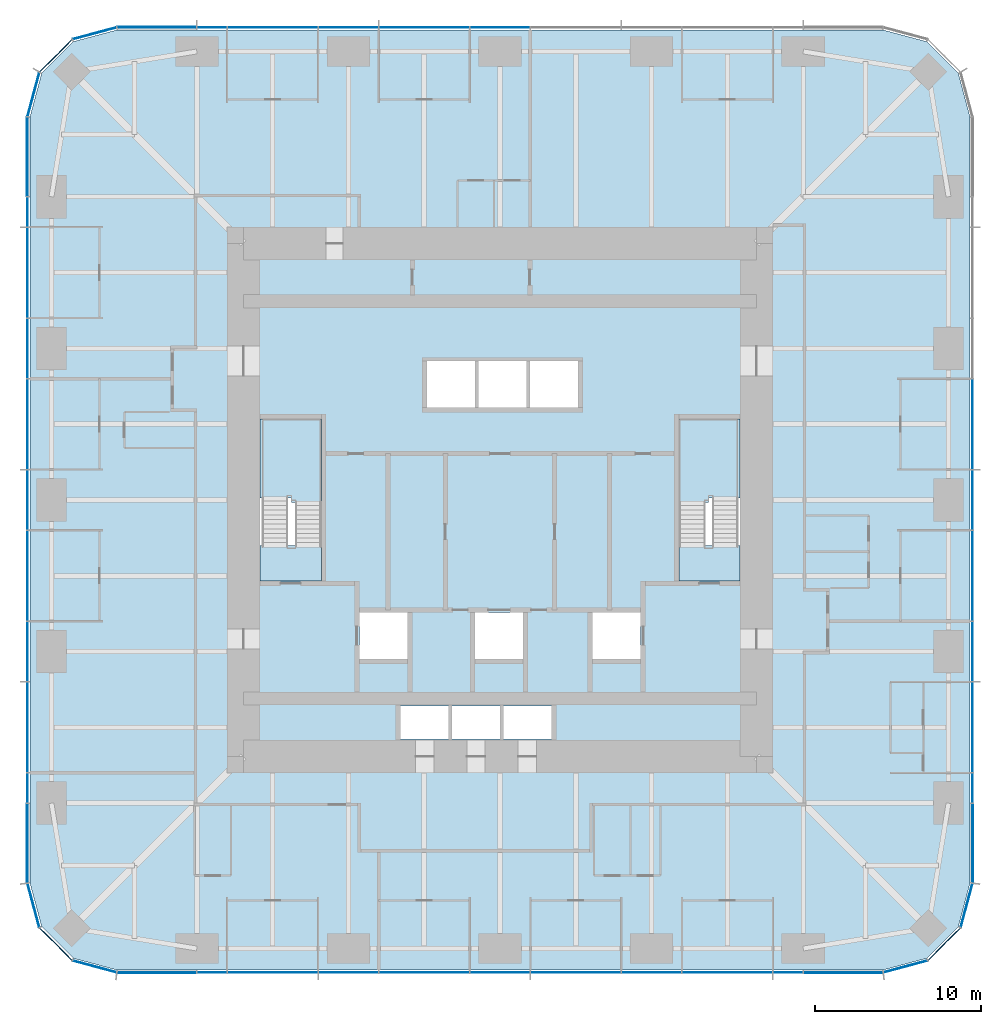
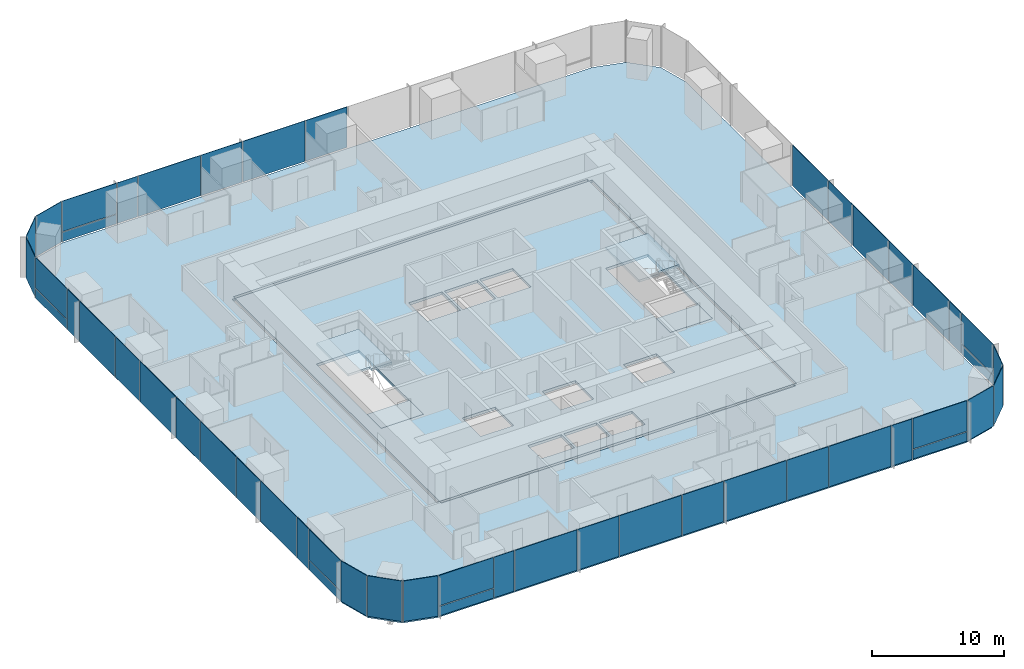
# One storey, part 7 of 12: 50 plates, 6 slabs, 9 elements without a shape of their own.
"""IFC4 building model written with IfcOpenShell, lengths in metres."""

import ifcopenshell
import ifcopenshell.guid

model = None  # the IFC model being written
_history = None  # IfcOwnerHistory: only IFC2X3 demands one
_inside = {}  # id of a spatial element -> (the spatial element, [elements in it])
_under = {}  # id of a project, library or spatial element -> (it, [spatial elements below it])
_declared = {}  # id of a project -> (the project, [libraries it declares])
_typed = {}  # id of a type object -> (the type object, [elements of that type])
_made_of = {}  # id of a material, layer set ... -> (it, [elements and type objects made of it])


def new_model(schema):
    """Start an empty IFC model of exactly this schema.

    Asked for "IFC4X3", IfcOpenShell would pick the latest addendum, in which some entities
    have other attributes; the version numbers below select the first issue.
    IFC2X3 requires an IfcOwnerHistory on every rooted entity: one is made here for all.
    """
    global model, _history
    if schema == "IFC4X3":
        model = ifcopenshell.file(schema_version=(4, 3, 0, 0))
    else:
        model = ifcopenshell.file(schema=schema)
    _inside.clear()
    _under.clear()
    _declared.clear()
    _typed.clear()
    _made_of.clear()
    _history = None
    if model.schema == "IFC2X3":
        org = make("IfcOrganization", Name="unknown")
        user = make(
            "IfcPersonAndOrganization",
            ThePerson=make("IfcPerson", FamilyName="unknown"),
            TheOrganization=org,
        )
        app = make(
            "IfcApplication",
            ApplicationDeveloper=org,
            Version="unknown",
            ApplicationFullName="unknown",
            ApplicationIdentifier="unknown",
        )
        _history = make(
            "IfcOwnerHistory",
            OwningUser=user,
            OwningApplication=app,
            ChangeAction="ADDED",
            CreationDate=0,
        )
    return model


def make(cls, **values):
    """One entity of the class cls with the attributes given. An attribute that is None is left unset."""
    return model.create_entity(
        cls, **{name: value for name, value in values.items() if value is not None}
    )


def rooted(cls, **values):
    """An entity with a GlobalId (a new one), such as an element, a storey or a relation."""
    return make(cls, GlobalId=ifcopenshell.guid.new(), OwnerHistory=_history, **values)


def si_unit(unit_type, name, prefix=None):
    """IfcSIUnit, for example si_unit("LENGTHUNIT", "METRE", prefix="MILLI")."""
    return make("IfcSIUnit", UnitType=unit_type, Prefix=prefix, Name=name)


def assignment(units):
    """IfcUnitAssignment: the units of a project."""
    return None if units is None else make("IfcUnitAssignment", Units=units)


def point(xyz):
    """IfcCartesianPoint."""
    return None if xyz is None else make("IfcCartesianPoint", Coordinates=xyz)


def direction(xyz):
    """IfcDirection."""
    return None if xyz is None else make("IfcDirection", DirectionRatios=xyz)


def frame(location, z_axis=None, x_axis=None):
    """IfcAxis2Placement3D, a coordinate frame: its origin and axes. An axis left out is left unset."""
    return make(
        "IfcAxis2Placement3D",
        Location=point(location),
        Axis=direction(z_axis),
        RefDirection=direction(x_axis),
    )


def frame_2d(location, x_axis=None):
    """IfcAxis2Placement2D, a coordinate frame in the plane: its origin and x axis."""
    return make(
        "IfcAxis2Placement2D", Location=point(location), RefDirection=direction(x_axis)
    )


def origin():
    """The frame at (0, 0, 0) with its axes left unset."""
    return frame((0.0, 0.0, 0.0))


def origin_2d():
    """The frame at (0, 0) in the plane with its x axis left unset."""
    return frame_2d((0.0, 0.0))


def place(relative_to, where):
    """IfcLocalPlacement: puts the frame where relative to a parent placement (None: the world)."""
    return make(
        "IfcLocalPlacement", PlacementRelTo=relative_to, RelativePlacement=where
    )


def context(
    kind, dimensions, precision=None, world=None, true_north=None, identifier=None
):
    """IfcGeometricRepresentationContext, for example the 3D "Model" context."""
    return make(
        "IfcGeometricRepresentationContext",
        ContextIdentifier=identifier,
        ContextType=kind,
        CoordinateSpaceDimension=dimensions,
        Precision=precision,
        WorldCoordinateSystem=world,
        TrueNorth=true_north,
    )


def subcontext(parent, identifier, kind, view, scale=None):
    """IfcGeometricRepresentationSubContext, for example "Body" below "Model"."""
    return make(
        "IfcGeometricRepresentationSubContext",
        ContextIdentifier=identifier,
        ContextType=kind,
        ParentContext=parent,
        TargetScale=scale,
        TargetView=view,
    )


def project(units=None, contexts=None):
    """IfcProject with its units and contexts."""
    return rooted(
        "IfcProject",
        Name="project",
        RepresentationContexts=contexts,
        UnitsInContext=assignment(units),
    )


def spatial(cls, under=None, at=None, **own):
    """A site, building, storey or space (cls), placed at a placement, below another one or the project."""
    s = rooted(cls, ObjectPlacement=at, **own)
    if under is not None:
        _under.setdefault(under.id(), (under, []))[1].append(s)
    return s


def polyline(points):
    """IfcPolyline through the points."""
    return make("IfcPolyline", Points=[point(p) for p in points])


def profile(cls, at=None, kind="AREA", **sizes):
    """A parametric profile (cls). Its sizes go by their IFC names, for example OverallWidth=200.0."""
    return make(cls, ProfileType=kind, Position=at, **sizes)


def rectangle(**sizes):
    """IfcRectangleProfileDef."""
    return profile("IfcRectangleProfileDef", **sizes)


def outline(outer, holes=None, kind="AREA"):
    """IfcArbitraryClosedProfileDef: a profile drawn as a closed curve; with holes, ...WithVoids."""
    if holes is None:
        return make("IfcArbitraryClosedProfileDef", ProfileType=kind, OuterCurve=outer)
    return make(
        "IfcArbitraryProfileDefWithVoids",
        ProfileType=kind,
        OuterCurve=outer,
        InnerCurves=holes,
    )


def extrude(swept, where, along, depth):
    """IfcExtrudedAreaSolid: the profile swept, set in the frame where, extruded along a direction by depth."""
    return make(
        "IfcExtrudedAreaSolid",
        SweptArea=swept,
        Position=where,
        ExtrudedDirection=direction(along),
        Depth=depth,
    )


def shape(context_of_items, identifier, shape_type, items):
    """IfcShapeRepresentation: the items that make up one representation, for example the "Body"."""
    return make(
        "IfcShapeRepresentation",
        ContextOfItems=context_of_items,
        RepresentationIdentifier=identifier,
        RepresentationType=shape_type,
        Items=items,
    )


def material(Name=None, Category=None):
    """IfcMaterial."""
    return make("IfcMaterial", Name=Name, Category=Category)


def layer(
    of_material, thickness, ventilated=None, Name=None, Category=None, Priority=None
):
    """IfcMaterialLayer: one layer of a wall or slab, of a material (None: an air gap)."""
    return make(
        "IfcMaterialLayer",
        Material=of_material,
        LayerThickness=thickness,
        IsVentilated=ventilated,
        Name=Name,
        Category=Category,
        Priority=Priority,
    )


def layer_set(layers, Name=None):
    """IfcMaterialLayerSet."""
    return make("IfcMaterialLayerSet", MaterialLayers=layers, LayerSetName=Name)


def made_of(thing, what):
    """Note that an element or type object is made of a material, layer set ...; save() writes the relation."""
    if what is not None:
        _made_of.setdefault(what.id(), (what, []))[1].append(thing)
    return thing


def type_object(cls, material=None, **own):
    """A type object (cls), such as IfcWallType, which elements share."""
    return made_of(rooted(cls, **own), material)


def element(
    cls,
    number,
    at=None,
    inside=None,
    cuts=None,
    type_object=None,
    material=None,
    context=None,
    identifier="Body",
    shape_type=None,
    held_by="IfcProductDefinitionShape",
    body=None,
    shapes=None,
    **own,
):
    """One element of the class cls, such as IfcWall. Its Tag is "e" and its number.

    at: its placement. inside: the storey or other place that contains it. cuts: it is an
    opening in that element (IfcRelVoidsElement). A single representation is given by context,
    identifier, shape_type and body (its items); several are given by shapes. held_by: the class
    of the entity that holds the representations. save() writes the other relations.
    """
    e = rooted(cls, Tag="e%d" % number, ObjectPlacement=at, **own)
    if body is not None:
        shapes = [shape(context, identifier, shape_type, body)]
    if shapes is not None:
        e.Representation = make(held_by, Representations=shapes)
    if inside is not None:
        _inside.setdefault(inside.id(), (inside, []))[1].append(e)
    if cuts is not None:
        rooted(
            "IfcRelVoidsElement", RelatingBuildingElement=cuts, RelatedOpeningElement=e
        )
    if type_object is not None:
        _typed.setdefault(type_object.id(), (type_object, []))[1].append(e)
    return made_of(e, material)


def aggregate(whole, parts):
    """IfcRelAggregates: a whole, such as a stair, and the parts it consists of."""
    return rooted("IfcRelAggregates", RelatingObject=whole, RelatedObjects=parts)


def save(model, path):
    """Write the relations noted so far, then the file.

    IfcRelAggregates (storeys below a building ...), IfcRelContainedInSpatialStructure (elements
    in a storey), IfcRelDefinesByType, IfcRelAssociatesMaterial and IfcRelDeclares: one each for
    every whole, place, type object, material and project.
    """
    for whole, parts in _under.values():
        aggregate(whole, parts)
    for where, things in _inside.values():
        rooted(
            "IfcRelContainedInSpatialStructure",
            RelatedElements=things,
            RelatingStructure=where,
        )
    for kind, things in _typed.values():
        rooted("IfcRelDefinesByType", RelatedObjects=things, RelatingType=kind)
    for what, things in _made_of.values():
        rooted("IfcRelAssociatesMaterial", RelatedObjects=things, RelatingMaterial=what)
    for by, libraries in _declared.values():
        rooted("IfcRelDeclares", RelatingContext=by, RelatedDefinitions=libraries)
    model.write(path)


model = new_model("IFC4")

# Units and contexts
model_context = context("Model", 3, precision=1e-05, world=origin(), true_north=direction((0.0, 1.0)))
body_context = subcontext(model_context, "Body", "Model", "MODEL_VIEW")
ifc_project = project(units=[si_unit("LENGTHUNIT", "METRE"), si_unit("AREAUNIT", "SQUARE_METRE"), si_unit("VOLUMEUNIT", "CUBIC_METRE"), si_unit("PLANEANGLEUNIT", "RADIAN"), si_unit("MASSUNIT", "GRAM", prefix="KILO")], contexts=[model_context])

# Site, building, storey
site_placement = place(None, origin())
site = spatial("IfcSite", under=ifc_project, at=site_placement, CompositionType="ELEMENT")
building_placement = place(site_placement, origin())
building = spatial("IfcBuilding", under=site, at=building_placement, Name="Khuree Lantern Residences", CompositionType="ELEMENT")
storey_placement = place(building_placement, frame((0.0, 0.0, 167.25)))
storey = spatial("IfcBuildingStorey", under=building, at=storey_placement, Name="L42", CompositionType="ELEMENT", Elevation=167.25)

# Slab
ifc_material_1 = material(Name="Concrete C35/45", Category="concrete")
ifc_layer_1 = layer(ifc_material_1, 0.25)
ifc_layer_set_1 = layer_set([ifc_layer_1], Name="CFL250 CORE FLOOR SLAB 250")
slab_type_1 = type_object("IfcSlabType", Name="CFL250 CORE FLOOR SLAB 250", PredefinedType="FLOOR", material=ifc_layer_set_1)
slab_1_placement = place(storey_placement, frame((0.0, 0.0, -0.25)))
element("IfcSlab", 1, at=slab_1_placement, inside=storey, type_object=slab_type_1, Name="Core floor L42", PredefinedType="FLOOR", context=body_context, shape_type="SweptSolid", body=[
    extrude(outline(polyline([(-15.5, -15.5), (-15.5, 15.5), (15.5, 15.5), (15.5, -15.5), (-15.5, -15.5)]), holes=[polyline([(10.800048828125, 4.89990234375), (10.800048828125, -4.89990234375), (14.5, -4.89990234375), (14.5, 4.89990234375), (10.800048828125, 4.89990234375)]), polyline([(8.5, -6.800048828125), (5.60009765625, -6.800048828125), (5.60009765625, -9.60009765625), (8.5, -9.60009765625), (8.5, -6.800048828125)]), polyline([(4.699951171875, 8.39990234375), (1.800048828125, 8.39990234375), (1.800048828125, 5.60009765625), (4.699951171875, 5.60009765625), (4.699951171875, 8.39990234375)]), polyline([(3.10009765625, -12.449951171875), (0.199951171875, -12.449951171875), (0.199951171875, -14.449951171875), (3.10009765625, -14.449951171875), (3.10009765625, -12.449951171875)]), polyline([(1.60009765625, 8.39990234375), (-1.300048828125, 8.39990234375), (-1.300048828125, 5.60009765625), (1.60009765625, 5.60009765625), (1.60009765625, 8.39990234375)]), polyline([(1.39990234375, -6.800048828125), (-1.5, -6.800048828125), (-1.5, -9.60009765625), (1.39990234375, -9.60009765625), (1.39990234375, -6.800048828125)]), polyline([(-2.89990234375, -12.449951171875), (-2.89990234375, -14.449951171875), (0.0, -14.449951171875), (0.0, -12.449951171875), (-2.89990234375, -12.449951171875)]), polyline([(-4.39990234375, 8.39990234375), (-4.39990234375, 5.60009765625), (-1.5, 5.60009765625), (-1.5, 8.39990234375), (-4.39990234375, 8.39990234375)]), polyline([(-6.0, -12.449951171875), (-6.0, -14.449951171875), (-3.10009765625, -14.449951171875), (-3.10009765625, -12.449951171875), (-6.0, -12.449951171875)]), polyline([(-8.5, -6.800048828125), (-8.5, -9.60009765625), (-5.60009765625, -9.60009765625), (-5.60009765625, -6.800048828125), (-8.5, -6.800048828125)]), polyline([(-10.800048828125, 4.89990234375), (-14.5, 4.89990234375), (-14.5, -4.89990234375), (-10.800048828125, -4.89990234375), (-10.800048828125, 4.89990234375)])]), origin(), (0.0, 0.0, 1.0), 0.25),
])

# Curtain wall, plates
ifc_material_2 = material(Name="Bronze anodised aluminium", Category="aluminium")
curtain_wall_type_1 = type_object("IfcCurtainWallType", Name="CW-T2 TOWER CORNER CURTAIN WALL", PredefinedType="USERDEFINED", material=ifc_material_2)
curtain_wall_1_placement = place(storey_placement, origin())
curtain_wall_1 = element("IfcCurtainWall", 2, at=curtain_wall_1_placement, inside=storey, type_object=curtain_wall_type_1, Name="L42 SOUTH-EAST CORNER CURTAIN WALL", ObjectType="Faceted corner curtain wall", PredefinedType="USERDEFINED")
ifc_material_3 = material(Name="Bronze tinted triple glazing", Category="glass")
ifc_layer_2 = layer(ifc_material_3, 0.048095703125)
ifc_layer_set_2 = layer_set([ifc_layer_2], Name="FACET PANEL P4")
plate_type_1 = type_object("IfcPlateType", Name="FACET PANEL P4", PredefinedType="CURTAIN_PANEL", material=ifc_layer_set_2)
plate_1_placement = place(storey_placement, frame((24.498046875, -28.188720703125, 0.0), z_axis=(0.0, 0.0, 1.0), x_axis=(0.965925810153, 0.258819105321, 0.0)))
plate_1 = element("IfcPlate", 3, at=plate_1_placement, type_object=plate_type_1, Name="L42 SOUTH-EAST CORNER PANEL 1.1", PredefinedType="CURTAIN_PANEL", context=body_context, shape_type="SweptSolid", body=[
    extrude(rectangle(XDim=2.71923828125, YDim=0.048095703125, at=origin_2d()), origin(), (0.0, 0.0, 1.0), 3.75),
])
plate_2_placement = place(storey_placement, frame((26.83837890625, -26.83837890625, 0.0), z_axis=(0.0, 0.0, 1.0), x_axis=(0.707106781187, 0.707106781187, 0.0)))
plate_2 = element("IfcPlate", 4, at=plate_2_placement, type_object=plate_type_1, Name="L42 SOUTH-EAST CORNER PANEL 2.1", PredefinedType="CURTAIN_PANEL", context=body_context, shape_type="SweptSolid", body=[
    extrude(rectangle(XDim=2.715087890625, YDim=0.048095703125, at=origin_2d()), origin(), (0.0, 0.0, 1.0), 3.75),
])
plate_3_placement = place(storey_placement, frame((28.188720703125, -24.498046875, 0.0), z_axis=(0.0, 0.0, 1.0), x_axis=(0.258819105321, 0.965925810153, 0.0)))
plate_3 = element("IfcPlate", 5, at=plate_3_placement, type_object=plate_type_1, Name="L42 SOUTH-EAST CORNER PANEL 3.1", PredefinedType="CURTAIN_PANEL", context=body_context, shape_type="SweptSolid", body=[
    extrude(rectangle(XDim=2.71923828125, YDim=0.048095703125, at=origin_2d()), origin(), (0.0, 0.0, 1.0), 3.75),
])
aggregate(curtain_wall_1, [plate_1, plate_2, plate_3])

curtain_wall_2_placement = place(storey_placement, origin())
curtain_wall_2 = element("IfcCurtainWall", 6, at=curtain_wall_2_placement, inside=storey, type_object=curtain_wall_type_1, Name="L42 NORTH-WEST CORNER CURTAIN WALL", ObjectType="Faceted corner curtain wall", PredefinedType="USERDEFINED")
plate_4_placement = place(storey_placement, frame((-24.498046875, 28.188720703125, 0.0), z_axis=(0.0, 0.0, 1.0), x_axis=(-0.965925810153, -0.258819105321, 0.0)))
plate_4 = element("IfcPlate", 7, at=plate_4_placement, type_object=plate_type_1, Name="L42 NORTH-WEST CORNER PANEL 29.1", PredefinedType="CURTAIN_PANEL", context=body_context, shape_type="SweptSolid", body=[
    extrude(rectangle(XDim=2.71923828125, YDim=0.048095703125, at=origin_2d()), origin(), (0.0, 0.0, 1.0), 3.75),
])
plate_5_placement = place(storey_placement, frame((-26.83837890625, 26.83837890625, 0.0), z_axis=(0.0, 0.0, 1.0), x_axis=(-0.707106781187, -0.707106781187, 0.0)))
plate_5 = element("IfcPlate", 8, at=plate_5_placement, type_object=plate_type_1, Name="L42 NORTH-WEST CORNER PANEL 30.1", PredefinedType="CURTAIN_PANEL", context=body_context, shape_type="SweptSolid", body=[
    extrude(rectangle(XDim=2.715087890625, YDim=0.048095703125, at=origin_2d()), origin(), (0.0, 0.0, 1.0), 3.75),
])
plate_6_placement = place(storey_placement, frame((-28.188720703125, 24.498046875, 0.0), z_axis=(0.0, 0.0, 1.0), x_axis=(-0.258819105321, -0.965925810153, 0.0)))
plate_6 = element("IfcPlate", 9, at=plate_6_placement, type_object=plate_type_1, Name="L42 NORTH-WEST CORNER PANEL 31.1", PredefinedType="CURTAIN_PANEL", context=body_context, shape_type="SweptSolid", body=[
    extrude(rectangle(XDim=2.71923828125, YDim=0.048095703125, at=origin_2d()), origin(), (0.0, 0.0, 1.0), 3.75),
])
aggregate(curtain_wall_2, [plate_4, plate_5, plate_6])

curtain_wall_3_placement = place(storey_placement, origin())
curtain_wall_3 = element("IfcCurtainWall", 10, at=curtain_wall_3_placement, inside=storey, type_object=curtain_wall_type_1, Name="L42 SOUTH-WEST CORNER CURTAIN WALL", ObjectType="Faceted corner curtain wall", PredefinedType="USERDEFINED")
plate_7_placement = place(storey_placement, frame((-28.188720703125, -24.498046875, 0.0), z_axis=(0.0, 0.0, 1.0), x_axis=(0.258819105321, -0.965925810153, 0.0)))
plate_7 = element("IfcPlate", 11, at=plate_7_placement, type_object=plate_type_1, Name="L42 SOUTH-WEST CORNER PANEL 43.1", PredefinedType="CURTAIN_PANEL", context=body_context, shape_type="SweptSolid", body=[
    extrude(rectangle(XDim=2.71923828125, YDim=0.048095703125, at=origin_2d()), origin(), (0.0, 0.0, 1.0), 3.75),
])
plate_8_placement = place(storey_placement, frame((-26.83837890625, -26.83837890625, 0.0), z_axis=(0.0, 0.0, 1.0), x_axis=(0.707106781187, -0.707106781187, 0.0)))
plate_8 = element("IfcPlate", 12, at=plate_8_placement, type_object=plate_type_1, Name="L42 SOUTH-WEST CORNER PANEL 44.1", PredefinedType="CURTAIN_PANEL", context=body_context, shape_type="SweptSolid", body=[
    extrude(rectangle(XDim=2.715087890625, YDim=0.048095703125, at=origin_2d()), origin(), (0.0, 0.0, 1.0), 3.75),
])
plate_9_placement = place(storey_placement, frame((-24.498046875, -28.188720703125, 0.0), z_axis=(0.0, 0.0, 1.0), x_axis=(0.965925810153, -0.258819105321, 0.0)))
plate_9 = element("IfcPlate", 13, at=plate_9_placement, type_object=plate_type_1, Name="L42 SOUTH-WEST CORNER PANEL 45.1", PredefinedType="CURTAIN_PANEL", context=body_context, shape_type="SweptSolid", body=[
    extrude(rectangle(XDim=2.71923828125, YDim=0.048095703125, at=origin_2d()), origin(), (0.0, 0.0, 1.0), 3.75),
])
aggregate(curtain_wall_3, [plate_7, plate_8, plate_9])

curtain_wall_type_2 = type_object("IfcCurtainWallType", Name="CW-T1 TOWER FACE CURTAIN WALL", PredefinedType="USERDEFINED", material=ifc_material_2)
curtain_wall_4_placement = place(storey_placement, origin())
curtain_wall_4 = element("IfcCurtainWall", 14, at=curtain_wall_4_placement, inside=storey, type_object=curtain_wall_type_2, Name="L42 EAST FACE CURTAIN WALL", ObjectType="Stick-built curtain wall", PredefinedType="USERDEFINED")
ifc_material_4 = material(Name="Bronze tinted triple glazing with a ceramic-fritted spandrel band", Category="glass")
ifc_layer_3 = layer(ifc_material_4, 0.048095703125)
ifc_layer_set_3 = layer_set([ifc_layer_3], Name="FIXED LIGHT PANEL P11")
plate_type_2 = type_object("IfcPlateType", Name="FIXED LIGHT PANEL P11", PredefinedType="CURTAIN_PANEL", material=ifc_layer_set_3)
plate_10_placement = place(storey_placement, frame((28.550048828125, -13.739990234375, 0.0), z_axis=(0.0, 0.0, 1.0), x_axis=(0.0, 1.0, 0.0)))
plate_10 = element("IfcPlate", 15, at=plate_10_placement, type_object=plate_type_2, Name="L42 EAST FACE PANEL 6.1", PredefinedType="CURTAIN_PANEL", context=body_context, shape_type="SweptSolid", body=[
    extrude(rectangle(XDim=5.430908203125, YDim=0.048095703125, at=origin_2d()), origin(), (0.0, 0.0, 1.0), 3.75),
])
plate_11_placement = place(storey_placement, frame((28.550048828125, -4.580078125, 0.0), z_axis=(0.0, 0.0, 1.0), x_axis=(0.0, 1.0, 0.0)))
plate_11 = element("IfcPlate", 16, at=plate_11_placement, type_object=plate_type_2, Name="L42 EAST FACE PANEL 8.1", PredefinedType="CURTAIN_PANEL", context=body_context, shape_type="SweptSolid", body=[
    extrude(rectangle(XDim=5.430908203125, YDim=0.048095703125, at=origin_2d()), origin(), (0.0, 0.0, 1.0), 3.75),
])
plate_12_placement = place(storey_placement, frame((28.550048828125, 4.580078125, 0.0), z_axis=(0.0, 0.0, 1.0), x_axis=(0.0, 1.0, 0.0)))
plate_12 = element("IfcPlate", 17, at=plate_12_placement, type_object=plate_type_2, Name="L42 EAST FACE PANEL 10.1", PredefinedType="CURTAIN_PANEL", context=body_context, shape_type="SweptSolid", body=[
    extrude(rectangle(XDim=5.430908203125, YDim=0.048095703125, at=origin_2d()), origin(), (0.0, 0.0, 1.0), 3.75),
])

curtain_wall_5_placement = place(storey_placement, origin())
curtain_wall_5 = element("IfcCurtainWall", 18, at=curtain_wall_5_placement, inside=storey, type_object=curtain_wall_type_2, Name="L42 NORTH FACE CURTAIN WALL", ObjectType="Stick-built curtain wall", PredefinedType="USERDEFINED")
plate_13_placement = place(storey_placement, frame((-4.580078125, 28.550048828125, 0.0), z_axis=(0.0, 0.0, 1.0), x_axis=(-1.0, 0.0, 0.0)))
plate_13 = element("IfcPlate", 19, at=plate_13_placement, type_object=plate_type_2, Name="L42 NORTH FACE PANEL 24.1", PredefinedType="CURTAIN_PANEL", context=body_context, shape_type="SweptSolid", body=[
    extrude(rectangle(XDim=5.430908203125, YDim=0.048095703125, at=origin_2d()), origin(), (0.0, 0.0, 1.0), 3.75),
])
plate_14_placement = place(storey_placement, frame((-13.739990234375, 28.550048828125, 0.0), z_axis=(0.0, 0.0, 1.0), x_axis=(-1.0, 0.0, 0.0)))
plate_14 = element("IfcPlate", 20, at=plate_14_placement, type_object=plate_type_2, Name="L42 NORTH FACE PANEL 26.1", PredefinedType="CURTAIN_PANEL", context=body_context, shape_type="SweptSolid", body=[
    extrude(rectangle(XDim=5.430908203125, YDim=0.048095703125, at=origin_2d()), origin(), (0.0, 0.0, 1.0), 3.75),
])

curtain_wall_6_placement = place(storey_placement, origin())
curtain_wall_6 = element("IfcCurtainWall", 21, at=curtain_wall_6_placement, inside=storey, type_object=curtain_wall_type_2, Name="L42 WEST FACE CURTAIN WALL", ObjectType="Stick-built curtain wall", PredefinedType="USERDEFINED")
plate_15_placement = place(storey_placement, frame((-28.550048828125, 13.739990234375, 0.0), z_axis=(0.0, 0.0, 1.0), x_axis=(0.0, -1.0, 0.0)))
plate_15 = element("IfcPlate", 22, at=plate_15_placement, type_object=plate_type_2, Name="L42 WEST FACE PANEL 34.1", PredefinedType="CURTAIN_PANEL", context=body_context, shape_type="SweptSolid", body=[
    extrude(rectangle(XDim=5.430908203125, YDim=0.048095703125, at=origin_2d()), origin(), (0.0, 0.0, 1.0), 3.75),
])
plate_16_placement = place(storey_placement, frame((-28.550048828125, 4.580078125, 0.0), z_axis=(0.0, 0.0, 1.0), x_axis=(0.0, -1.0, 0.0)))
plate_16 = element("IfcPlate", 23, at=plate_16_placement, type_object=plate_type_2, Name="L42 WEST FACE PANEL 36.1", PredefinedType="CURTAIN_PANEL", context=body_context, shape_type="SweptSolid", body=[
    extrude(rectangle(XDim=5.430908203125, YDim=0.048095703125, at=origin_2d()), origin(), (0.0, 0.0, 1.0), 3.75),
])
plate_17_placement = place(storey_placement, frame((-28.550048828125, -4.580078125, 0.0), z_axis=(0.0, 0.0, 1.0), x_axis=(0.0, -1.0, 0.0)))
plate_17 = element("IfcPlate", 24, at=plate_17_placement, type_object=plate_type_2, Name="L42 WEST FACE PANEL 38.1", PredefinedType="CURTAIN_PANEL", context=body_context, shape_type="SweptSolid", body=[
    extrude(rectangle(XDim=5.430908203125, YDim=0.048095703125, at=origin_2d()), origin(), (0.0, 0.0, 1.0), 3.75),
])
plate_18_placement = place(storey_placement, frame((-28.550048828125, -13.739990234375, 0.0), z_axis=(0.0, 0.0, 1.0), x_axis=(0.0, -1.0, 0.0)))
plate_18 = element("IfcPlate", 25, at=plate_18_placement, type_object=plate_type_2, Name="L42 WEST FACE PANEL 40.1", PredefinedType="CURTAIN_PANEL", context=body_context, shape_type="SweptSolid", body=[
    extrude(rectangle(XDim=5.430908203125, YDim=0.048095703125, at=origin_2d()), origin(), (0.0, 0.0, 1.0), 3.75),
])

curtain_wall_7_placement = place(storey_placement, origin())
curtain_wall_7 = element("IfcCurtainWall", 26, at=curtain_wall_7_placement, inside=storey, type_object=curtain_wall_type_2, Name="L42 SOUTH FACE CURTAIN WALL", ObjectType="Stick-built curtain wall", PredefinedType="USERDEFINED")
plate_19_placement = place(storey_placement, frame((-13.739990234375, -28.550048828125, 0.0), z_axis=(0.0, 0.0, 1.0), x_axis=(1.0, 0.0, 0.0)))
plate_19 = element("IfcPlate", 27, at=plate_19_placement, type_object=plate_type_2, Name="L42 SOUTH FACE PANEL 48.1", PredefinedType="CURTAIN_PANEL", context=body_context, shape_type="SweptSolid", body=[
    extrude(rectangle(XDim=5.430908203125, YDim=0.048095703125, at=origin_2d()), origin(), (0.0, 0.0, 1.0), 3.75),
])
plate_20_placement = place(storey_placement, frame((-4.580078125, -28.550048828125, 0.0), z_axis=(0.0, 0.0, 1.0), x_axis=(1.0, 0.0, 0.0)))
plate_20 = element("IfcPlate", 28, at=plate_20_placement, type_object=plate_type_2, Name="L42 SOUTH FACE PANEL 50.1", PredefinedType="CURTAIN_PANEL", context=body_context, shape_type="SweptSolid", body=[
    extrude(rectangle(XDim=5.430908203125, YDim=0.048095703125, at=origin_2d()), origin(), (0.0, 0.0, 1.0), 3.75),
])
plate_21_placement = place(storey_placement, frame((4.580078125, -28.550048828125, 0.0), z_axis=(0.0, 0.0, 1.0), x_axis=(1.0, 0.0, 0.0)))
plate_21 = element("IfcPlate", 29, at=plate_21_placement, type_object=plate_type_2, Name="L42 SOUTH FACE PANEL 52.1", PredefinedType="CURTAIN_PANEL", context=body_context, shape_type="SweptSolid", body=[
    extrude(rectangle(XDim=5.430908203125, YDim=0.048095703125, at=origin_2d()), origin(), (0.0, 0.0, 1.0), 3.75),
])
plate_22_placement = place(storey_placement, frame((13.739990234375, -28.550048828125, 0.0), z_axis=(0.0, 0.0, 1.0), x_axis=(1.0, 0.0, 0.0)))
plate_22 = element("IfcPlate", 30, at=plate_22_placement, type_object=plate_type_2, Name="L42 SOUTH FACE PANEL 54.1", PredefinedType="CURTAIN_PANEL", context=body_context, shape_type="SweptSolid", body=[
    extrude(rectangle(XDim=5.430908203125, YDim=0.048095703125, at=origin_2d()), origin(), (0.0, 0.0, 1.0), 3.75),
])

# Slab
ifc_layer_4 = layer(ifc_material_1, 0.25)
ifc_layer_set_4 = layer_set([ifc_layer_4], Name="FS250 FLOOR SLAB 250")
slab_type_2 = type_object("IfcSlabType", Name="FS250 FLOOR SLAB 250", PredefinedType="FLOOR", material=ifc_layer_set_4)
slab_2_placement = place(storey_placement, frame((0.0, 0.0, -0.25)))
element("IfcSlab", 31, at=slab_2_placement, inside=storey, type_object=slab_type_2, Name="Floor slab L42", PredefinedType="FLOOR", context=body_context, shape_type="SweptSolid", body=[
    extrude(outline(polyline([(-25.77490234375, -27.696533203125), (-27.696533203125, -25.77490234375), (-28.39990234375, -23.14990234375), (-28.39990234375, 23.14990234375), (-27.696533203125, 25.77490234375), (-25.77490234375, 27.696533203125), (-23.14990234375, 28.39990234375), (23.14990234375, 28.39990234375), (25.77490234375, 27.696533203125), (27.696533203125, 25.77490234375), (28.39990234375, 23.14990234375), (28.39990234375, -23.14990234375), (27.696533203125, -25.77490234375), (25.77490234375, -27.696533203125), (23.14990234375, -28.39990234375), (-23.14990234375, -28.39990234375), (-25.77490234375, -27.696533203125)]), holes=[polyline([(15.75, 15.5), (15.5, 15.5), (15.5, 15.75), (-15.5, 15.75), (-15.5, 15.5), (-15.75, 15.5), (-15.75, -15.5), (-15.5, -15.5), (-15.5, -15.75), (15.5, -15.75), (15.5, -15.5), (15.75, -15.5), (15.75, 15.5)])]), origin(), (0.0, 0.0, 1.0), 0.25),
])

# Plate
ifc_material_5 = material(Name="Bronze tinted triple glazing, two aluminium-framed sashes in one frame", Category="aluminium")
ifc_layer_5 = layer(ifc_material_5, 0.048095703125)
ifc_layer_set_5 = layer_set([ifc_layer_5], Name="SASH PAIR PANEL P12")
plate_type_3 = type_object("IfcPlateType", Name="SASH PAIR PANEL P12", PredefinedType="CURTAIN_PANEL", material=ifc_layer_set_5)
plate_23_placement = place(storey_placement, frame((28.550048828125, -9.159912109375, 0.0), z_axis=(0.0, 0.0, 1.0), x_axis=(0.0, 1.0, 0.0)))
plate_23 = element("IfcPlate", 32, at=plate_23_placement, type_object=plate_type_3, Name="L42 EAST FACE PANEL 7.1", PredefinedType="CURTAIN_PANEL", context=body_context, shape_type="SweptSolid", body=[
    extrude(rectangle(XDim=3.59912109375, YDim=0.048095703125, at=origin_2d()), origin(), (0.0, 0.0, 1.0), 3.75),
])

plate_24_placement = place(storey_placement, frame((28.550048828125, 0.0, 0.0), z_axis=(0.0, 0.0, 1.0), x_axis=(0.0, 1.0, 0.0)))
plate_24 = element("IfcPlate", 33, at=plate_24_placement, type_object=plate_type_3, Name="L42 EAST FACE PANEL 9.1", PredefinedType="CURTAIN_PANEL", context=body_context, shape_type="SweptSolid", body=[
    extrude(rectangle(XDim=3.59912109375, YDim=0.048095703125, at=origin_2d()), origin(), (0.0, 0.0, 1.0), 3.75),
])

plate_25_placement = place(storey_placement, frame((0.0, 28.550048828125, 0.0), z_axis=(0.0, 0.0, 1.0), x_axis=(-1.0, 0.0, 0.0)))
plate_25 = element("IfcPlate", 34, at=plate_25_placement, type_object=plate_type_3, Name="L42 NORTH FACE PANEL 23.1", PredefinedType="CURTAIN_PANEL", context=body_context, shape_type="SweptSolid", body=[
    extrude(rectangle(XDim=3.59912109375, YDim=0.048095703125, at=origin_2d()), origin(), (0.0, 0.0, 1.0), 3.75),
])

plate_26_placement = place(storey_placement, frame((-9.159912109375, 28.550048828125, 0.0), z_axis=(0.0, 0.0, 1.0), x_axis=(-1.0, 0.0, 0.0)))
plate_26 = element("IfcPlate", 35, at=plate_26_placement, type_object=plate_type_3, Name="L42 NORTH FACE PANEL 25.1", PredefinedType="CURTAIN_PANEL", context=body_context, shape_type="SweptSolid", body=[
    extrude(rectangle(XDim=3.59912109375, YDim=0.048095703125, at=origin_2d()), origin(), (0.0, 0.0, 1.0), 3.75),
])

plate_27_placement = place(storey_placement, frame((-28.550048828125, 9.159912109375, 0.0), z_axis=(0.0, 0.0, 1.0), x_axis=(0.0, -1.0, 0.0)))
plate_27 = element("IfcPlate", 36, at=plate_27_placement, type_object=plate_type_3, Name="L42 WEST FACE PANEL 35.1", PredefinedType="CURTAIN_PANEL", context=body_context, shape_type="SweptSolid", body=[
    extrude(rectangle(XDim=3.59912109375, YDim=0.048095703125, at=origin_2d()), origin(), (0.0, 0.0, 1.0), 3.75),
])

plate_28_placement = place(storey_placement, frame((-28.550048828125, 0.0, 0.0), z_axis=(0.0, 0.0, 1.0), x_axis=(0.0, -1.0, 0.0)))
plate_28 = element("IfcPlate", 37, at=plate_28_placement, type_object=plate_type_3, Name="L42 WEST FACE PANEL 37.1", PredefinedType="CURTAIN_PANEL", context=body_context, shape_type="SweptSolid", body=[
    extrude(rectangle(XDim=3.59912109375, YDim=0.048095703125, at=origin_2d()), origin(), (0.0, 0.0, 1.0), 3.75),
])

plate_29_placement = place(storey_placement, frame((-28.550048828125, -9.159912109375, 0.0), z_axis=(0.0, 0.0, 1.0), x_axis=(0.0, -1.0, 0.0)))
plate_29 = element("IfcPlate", 38, at=plate_29_placement, type_object=plate_type_3, Name="L42 WEST FACE PANEL 39.1", PredefinedType="CURTAIN_PANEL", context=body_context, shape_type="SweptSolid", body=[
    extrude(rectangle(XDim=3.59912109375, YDim=0.048095703125, at=origin_2d()), origin(), (0.0, 0.0, 1.0), 3.75),
])

plate_30_placement = place(storey_placement, frame((-9.159912109375, -28.550048828125, 0.0), z_axis=(0.0, 0.0, 1.0), x_axis=(1.0, 0.0, 0.0)))
plate_30 = element("IfcPlate", 39, at=plate_30_placement, type_object=plate_type_3, Name="L42 SOUTH FACE PANEL 49.1", PredefinedType="CURTAIN_PANEL", context=body_context, shape_type="SweptSolid", body=[
    extrude(rectangle(XDim=3.59912109375, YDim=0.048095703125, at=origin_2d()), origin(), (0.0, 0.0, 1.0), 3.75),
])

plate_31_placement = place(storey_placement, frame((0.0, -28.550048828125, 0.0), z_axis=(0.0, 0.0, 1.0), x_axis=(1.0, 0.0, 0.0)))
plate_31 = element("IfcPlate", 40, at=plate_31_placement, type_object=plate_type_3, Name="L42 SOUTH FACE PANEL 51.1", PredefinedType="CURTAIN_PANEL", context=body_context, shape_type="SweptSolid", body=[
    extrude(rectangle(XDim=3.59912109375, YDim=0.048095703125, at=origin_2d()), origin(), (0.0, 0.0, 1.0), 3.75),
])

plate_32_placement = place(storey_placement, frame((9.159912109375, -28.550048828125, 0.0), z_axis=(0.0, 0.0, 1.0), x_axis=(1.0, 0.0, 0.0)))
plate_32 = element("IfcPlate", 41, at=plate_32_placement, type_object=plate_type_3, Name="L42 SOUTH FACE PANEL 53.1", PredefinedType="CURTAIN_PANEL", context=body_context, shape_type="SweptSolid", body=[
    extrude(rectangle(XDim=3.59912109375, YDim=0.048095703125, at=origin_2d()), origin(), (0.0, 0.0, 1.0), 3.75),
])

ifc_material_6 = material(Name="Bronze tinted triple glazing, aluminium-framed sash", Category="aluminium")
ifc_layer_6 = layer(ifc_material_6, 0.048095703125)
ifc_layer_set_6 = layer_set([ifc_layer_6], Name="SASH PANEL P3")
plate_type_4 = type_object("IfcPlateType", Name="SASH PANEL P3", PredefinedType="CURTAIN_PANEL", material=ifc_layer_set_6)
plate_33_placement = place(storey_placement, frame((28.550048828125, -17.404052734375, 0.0), z_axis=(0.0, 0.0, 1.0), x_axis=(0.0, 1.0, 0.0)))
plate_33 = element("IfcPlate", 42, at=plate_33_placement, type_object=plate_type_4, Name="L42 EAST FACE PANEL 5.1", PredefinedType="CURTAIN_PANEL", context=body_context, shape_type="SweptSolid", body=[
    extrude(rectangle(XDim=1.76708984375, YDim=0.048095703125, at=origin_2d()), origin(), (0.0, 0.0, 1.0), 3.75),
])

plate_34_placement = place(storey_placement, frame((-17.404052734375, 28.550048828125, 0.0), z_axis=(0.0, 0.0, 1.0), x_axis=(-1.0, 0.0, 0.0)))
plate_34 = element("IfcPlate", 43, at=plate_34_placement, type_object=plate_type_4, Name="L42 NORTH FACE PANEL 27.1", PredefinedType="CURTAIN_PANEL", context=body_context, shape_type="SweptSolid", body=[
    extrude(rectangle(XDim=1.76708984375, YDim=0.048095703125, at=origin_2d()), origin(), (0.0, 0.0, 1.0), 3.75),
])

plate_35_placement = place(storey_placement, frame((-28.550048828125, 17.404052734375, 0.0), z_axis=(0.0, 0.0, 1.0), x_axis=(0.0, -1.0, 0.0)))
plate_35 = element("IfcPlate", 44, at=plate_35_placement, type_object=plate_type_4, Name="L42 WEST FACE PANEL 33.1", PredefinedType="CURTAIN_PANEL", context=body_context, shape_type="SweptSolid", body=[
    extrude(rectangle(XDim=1.76708984375, YDim=0.048095703125, at=origin_2d()), origin(), (0.0, 0.0, 1.0), 3.75),
])

plate_36_placement = place(storey_placement, frame((-28.550048828125, -17.404052734375, 0.0), z_axis=(0.0, 0.0, 1.0), x_axis=(0.0, -1.0, 0.0)))
plate_36 = element("IfcPlate", 45, at=plate_36_placement, type_object=plate_type_4, Name="L42 WEST FACE PANEL 41.1", PredefinedType="CURTAIN_PANEL", context=body_context, shape_type="SweptSolid", body=[
    extrude(rectangle(XDim=1.76708984375, YDim=0.048095703125, at=origin_2d()), origin(), (0.0, 0.0, 1.0), 3.75),
])

plate_37_placement = place(storey_placement, frame((-17.404052734375, -28.550048828125, 0.0), z_axis=(0.0, 0.0, 1.0), x_axis=(1.0, 0.0, 0.0)))
plate_37 = element("IfcPlate", 46, at=plate_37_placement, type_object=plate_type_4, Name="L42 SOUTH FACE PANEL 47.1", PredefinedType="CURTAIN_PANEL", context=body_context, shape_type="SweptSolid", body=[
    extrude(rectangle(XDim=1.76708984375, YDim=0.048095703125, at=origin_2d()), origin(), (0.0, 0.0, 1.0), 3.75),
])

plate_38_placement = place(storey_placement, frame((17.404052734375, -28.550048828125, 0.0), z_axis=(0.0, 0.0, 1.0), x_axis=(1.0, 0.0, 0.0)))
plate_38 = element("IfcPlate", 47, at=plate_38_placement, type_object=plate_type_4, Name="L42 SOUTH FACE PANEL 55.1", PredefinedType="CURTAIN_PANEL", context=body_context, shape_type="SweptSolid", body=[
    extrude(rectangle(XDim=1.76708984375, YDim=0.048095703125, at=origin_2d()), origin(), (0.0, 0.0, 1.0), 3.75),
])

ifc_material_7 = material(Name="Bronze anodised aluminium insulated spandrel", Category="aluminium")
ifc_layer_7 = layer(ifc_material_7, 0.06005859375)
ifc_layer_set_7 = layer_set([ifc_layer_7], Name="SPANDREL PANEL P2")
plate_type_5 = type_object("IfcPlateType", Name="SPANDREL PANEL P2", PredefinedType="CURTAIN_PANEL", material=ifc_layer_set_7)
plate_39_placement = place(storey_placement, frame((28.550048828125, -20.73291015625, 0.0), z_axis=(0.0, 0.0, 1.0), x_axis=(0.0, 1.0, 0.0)))
plate_39 = element("IfcPlate", 48, at=plate_39_placement, type_object=plate_type_5, Name="L42 EAST FACE PANEL 4.1", PredefinedType="CURTAIN_PANEL", context=body_context, shape_type="SweptSolid", body=[
    extrude(rectangle(XDim=4.7607421875, YDim=0.06005859375, at=origin_2d()), origin(), (0.0, 0.0, 1.0), 0.867431640625),
])

plate_40_placement = place(storey_placement, frame((-20.73291015625, 28.550048828125, 0.0), z_axis=(0.0, 0.0, 1.0), x_axis=(-1.0, 0.0, 0.0)))
plate_40 = element("IfcPlate", 49, at=plate_40_placement, type_object=plate_type_5, Name="L42 NORTH FACE PANEL 28.1", PredefinedType="CURTAIN_PANEL", context=body_context, shape_type="SweptSolid", body=[
    extrude(rectangle(XDim=4.7607421875, YDim=0.06005859375, at=origin_2d()), origin(), (0.0, 0.0, 1.0), 0.867431640625),
])

plate_41_placement = place(storey_placement, frame((-28.550048828125, 20.73291015625, 0.0), z_axis=(0.0, 0.0, 1.0), x_axis=(0.0, -1.0, 0.0)))
plate_41 = element("IfcPlate", 50, at=plate_41_placement, type_object=plate_type_5, Name="L42 WEST FACE PANEL 32.1", PredefinedType="CURTAIN_PANEL", context=body_context, shape_type="SweptSolid", body=[
    extrude(rectangle(XDim=4.7607421875, YDim=0.06005859375, at=origin_2d()), origin(), (0.0, 0.0, 1.0), 0.867431640625),
])

plate_42_placement = place(storey_placement, frame((-28.550048828125, -20.73291015625, 0.0), z_axis=(0.0, 0.0, 1.0), x_axis=(0.0, -1.0, 0.0)))
plate_42 = element("IfcPlate", 51, at=plate_42_placement, type_object=plate_type_5, Name="L42 WEST FACE PANEL 42.1", PredefinedType="CURTAIN_PANEL", context=body_context, shape_type="SweptSolid", body=[
    extrude(rectangle(XDim=4.7607421875, YDim=0.06005859375, at=origin_2d()), origin(), (0.0, 0.0, 1.0), 0.867431640625),
])

plate_43_placement = place(storey_placement, frame((-20.73291015625, -28.550048828125, 0.0), z_axis=(0.0, 0.0, 1.0), x_axis=(1.0, 0.0, 0.0)))
plate_43 = element("IfcPlate", 52, at=plate_43_placement, type_object=plate_type_5, Name="L42 SOUTH FACE PANEL 46.1", PredefinedType="CURTAIN_PANEL", context=body_context, shape_type="SweptSolid", body=[
    extrude(rectangle(XDim=4.7607421875, YDim=0.06005859375, at=origin_2d()), origin(), (0.0, 0.0, 1.0), 0.867431640625),
])

plate_44_placement = place(storey_placement, frame((20.73291015625, -28.550048828125, 0.0), z_axis=(0.0, 0.0, 1.0), x_axis=(1.0, 0.0, 0.0)))
plate_44 = element("IfcPlate", 53, at=plate_44_placement, type_object=plate_type_5, Name="L42 SOUTH FACE PANEL 56.1", PredefinedType="CURTAIN_PANEL", context=body_context, shape_type="SweptSolid", body=[
    extrude(rectangle(XDim=4.7607421875, YDim=0.06005859375, at=origin_2d()), origin(), (0.0, 0.0, 1.0), 0.867431640625),
])

# Stair, slabs
ifc_material_8 = material(Name="Concrete C40/50", Category="concrete")
stair_type = type_object("IfcStairType", Name="STAIR ST1 HALF TURN 3600", PredefinedType="HALF_TURN_STAIR", material=ifc_material_8)
stair_1_placement = place(storey_placement, origin())
stair_1 = element("IfcStair", 54, at=stair_1_placement, inside=storey, type_object=stair_type, Name="Stair ST1", PredefinedType="HALF_TURN_STAIR")
ifc_layer_8 = layer(ifc_material_8, 0.199951171875)
ifc_layer_set_8 = layer_set([ifc_layer_8], Name="STAIR LANDING SL1 200")
slab_type_3 = type_object("IfcSlabType", Name="STAIR LANDING SL1 200", PredefinedType="LANDING", material=ifc_layer_set_8)
slab_3_placement = place(storey_placement, frame((0.0, 0.0, -0.199951171875)))
slab_3 = element("IfcSlab", 55, at=slab_3_placement, type_object=slab_type_3, Name="ST1 landing 1", PredefinedType="LANDING", context=body_context, shape_type="SweptSolid", body=[
    extrude(outline(polyline([(-14.5, -4.89990234375), (-10.800048828125, -4.89990234375), (-10.800048828125, -2.760009765625), (-14.5, -2.760009765625), (-14.5, -4.89990234375)])), origin(), (0.0, 0.0, 1.0), 0.199951171875),
])
slab_4_placement = place(storey_placement, frame((0.0, 0.0, 1.756591796875)))
slab_4 = element("IfcSlab", 56, at=slab_4_placement, type_object=slab_type_3, Name="ST1 landing 2", PredefinedType="LANDING", context=body_context, shape_type="SweptSolid", body=[
    extrude(outline(polyline([(-14.5, 0.1201171875), (-14.5, 4.89990234375), (-10.800048828125, 4.89990234375), (-10.800048828125, -0.159912109375), (-12.60009765625, -0.159912109375), (-12.60009765625, 0.1201171875), (-14.5, 0.1201171875)])), origin(), (0.0, 0.0, 1.0), 0.199951171875),
])
aggregate(stair_1, [slab_3, slab_4])

stair_2_placement = place(storey_placement, origin())
stair_2 = element("IfcStair", 57, at=stair_2_placement, inside=storey, type_object=stair_type, Name="Stair ST2", PredefinedType="HALF_TURN_STAIR")
slab_5_placement = place(storey_placement, frame((0.0, 0.0, -0.199951171875)))
slab_5 = element("IfcSlab", 58, at=slab_5_placement, type_object=slab_type_3, Name="ST2 landing 1", PredefinedType="LANDING", context=body_context, shape_type="SweptSolid", body=[
    extrude(outline(polyline([(10.800048828125, -4.89990234375), (14.5, -4.89990234375), (14.5, -2.760009765625), (10.800048828125, -2.760009765625), (10.800048828125, -4.89990234375)])), origin(), (0.0, 0.0, 1.0), 0.199951171875),
])
slab_6_placement = place(storey_placement, frame((0.0, 0.0, 1.756591796875)))
slab_6 = element("IfcSlab", 59, at=slab_6_placement, type_object=slab_type_3, Name="ST2 landing 2", PredefinedType="LANDING", context=body_context, shape_type="SweptSolid", body=[
    extrude(outline(polyline([(14.5, 4.89990234375), (14.5, 0.1201171875), (12.60009765625, 0.1201171875), (12.60009765625, -0.159912109375), (10.800048828125, -0.159912109375), (10.800048828125, 4.89990234375), (14.5, 4.89990234375)])), origin(), (0.0, 0.0, 1.0), 0.199951171875),
])
aggregate(stair_2, [slab_5, slab_6])

# Plate
ifc_layer_9 = layer(ifc_material_3, 0.048095703125)
ifc_layer_set_9 = layer_set([ifc_layer_9], Name="VISION PANEL P1")
plate_type_6 = type_object("IfcPlateType", Name="VISION PANEL P1", PredefinedType="CURTAIN_PANEL", material=ifc_layer_set_9)
plate_45_placement = place(storey_placement, frame((28.550048828125, -20.7333984375, 0.9326171875), z_axis=(0.0, 0.0, 1.0), x_axis=(0.0, 1.0, 0.0)))
plate_45 = element("IfcPlate", 60, at=plate_45_placement, type_object=plate_type_6, Name="L42 EAST FACE PANEL 4.2", PredefinedType="CURTAIN_PANEL", context=body_context, shape_type="SweptSolid", body=[
    extrude(rectangle(XDim=4.761474609375, YDim=0.048095703125, at=origin_2d()), origin(), (0.0, 0.0, 1.0), 2.8173828125),
])

aggregate(curtain_wall_4, [plate_39, plate_45, plate_33, plate_10, plate_23, plate_11, plate_24, plate_12])

plate_46_placement = place(storey_placement, frame((-20.7333984375, 28.550048828125, 0.9326171875), z_axis=(0.0, 0.0, 1.0), x_axis=(-1.0, 0.0, 0.0)))
plate_46 = element("IfcPlate", 61, at=plate_46_placement, type_object=plate_type_6, Name="L42 NORTH FACE PANEL 28.2", PredefinedType="CURTAIN_PANEL", context=body_context, shape_type="SweptSolid", body=[
    extrude(rectangle(XDim=4.761474609375, YDim=0.048095703125, at=origin_2d()), origin(), (0.0, 0.0, 1.0), 2.8173828125),
])

aggregate(curtain_wall_5, [plate_25, plate_13, plate_26, plate_14, plate_34, plate_40, plate_46])

plate_47_placement = place(storey_placement, frame((-28.550048828125, 20.7333984375, 0.9326171875), z_axis=(0.0, 0.0, 1.0), x_axis=(0.0, -1.0, 0.0)))
plate_47 = element("IfcPlate", 62, at=plate_47_placement, type_object=plate_type_6, Name="L42 WEST FACE PANEL 32.2", PredefinedType="CURTAIN_PANEL", context=body_context, shape_type="SweptSolid", body=[
    extrude(rectangle(XDim=4.761474609375, YDim=0.048095703125, at=origin_2d()), origin(), (0.0, 0.0, 1.0), 2.8173828125),
])

plate_48_placement = place(storey_placement, frame((-28.550048828125, -20.7333984375, 0.9326171875), z_axis=(0.0, 0.0, 1.0), x_axis=(0.0, -1.0, 0.0)))
plate_48 = element("IfcPlate", 63, at=plate_48_placement, type_object=plate_type_6, Name="L42 WEST FACE PANEL 42.2", PredefinedType="CURTAIN_PANEL", context=body_context, shape_type="SweptSolid", body=[
    extrude(rectangle(XDim=4.761474609375, YDim=0.048095703125, at=origin_2d()), origin(), (0.0, 0.0, 1.0), 2.8173828125),
])

aggregate(curtain_wall_6, [plate_41, plate_47, plate_35, plate_15, plate_27, plate_16, plate_28, plate_17, plate_29, plate_18, plate_36, plate_42, plate_48])

plate_49_placement = place(storey_placement, frame((-20.7333984375, -28.550048828125, 0.9326171875), z_axis=(0.0, 0.0, 1.0), x_axis=(1.0, 0.0, 0.0)))
plate_49 = element("IfcPlate", 64, at=plate_49_placement, type_object=plate_type_6, Name="L42 SOUTH FACE PANEL 46.2", PredefinedType="CURTAIN_PANEL", context=body_context, shape_type="SweptSolid", body=[
    extrude(rectangle(XDim=4.761474609375, YDim=0.048095703125, at=origin_2d()), origin(), (0.0, 0.0, 1.0), 2.8173828125),
])

plate_50_placement = place(storey_placement, frame((20.7333984375, -28.550048828125, 0.9326171875), z_axis=(0.0, 0.0, 1.0), x_axis=(1.0, 0.0, 0.0)))
plate_50 = element("IfcPlate", 65, at=plate_50_placement, type_object=plate_type_6, Name="L42 SOUTH FACE PANEL 56.2", PredefinedType="CURTAIN_PANEL", context=body_context, shape_type="SweptSolid", body=[
    extrude(rectangle(XDim=4.761474609375, YDim=0.048095703125, at=origin_2d()), origin(), (0.0, 0.0, 1.0), 2.8173828125),
])

aggregate(curtain_wall_7, [plate_43, plate_49, plate_37, plate_19, plate_30, plate_20, plate_31, plate_21, plate_32, plate_22, plate_38, plate_44, plate_50])

save(model, "model.ifc")
